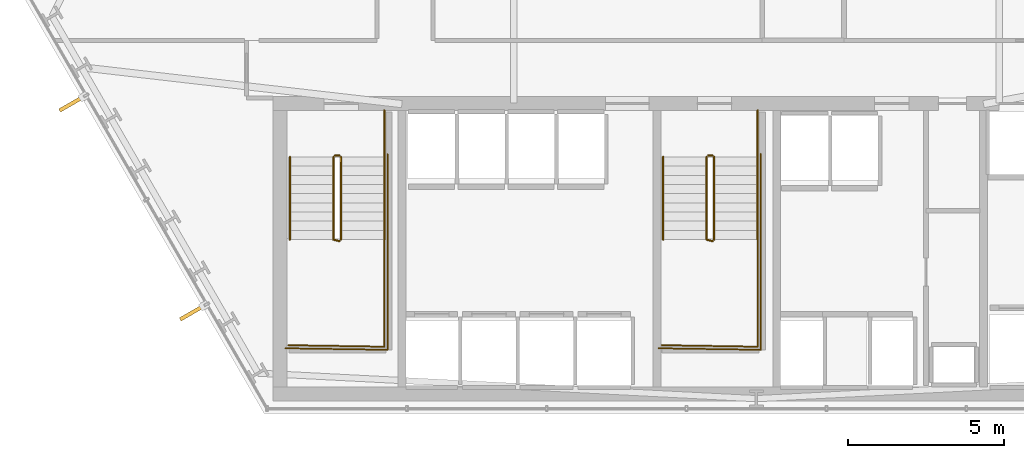
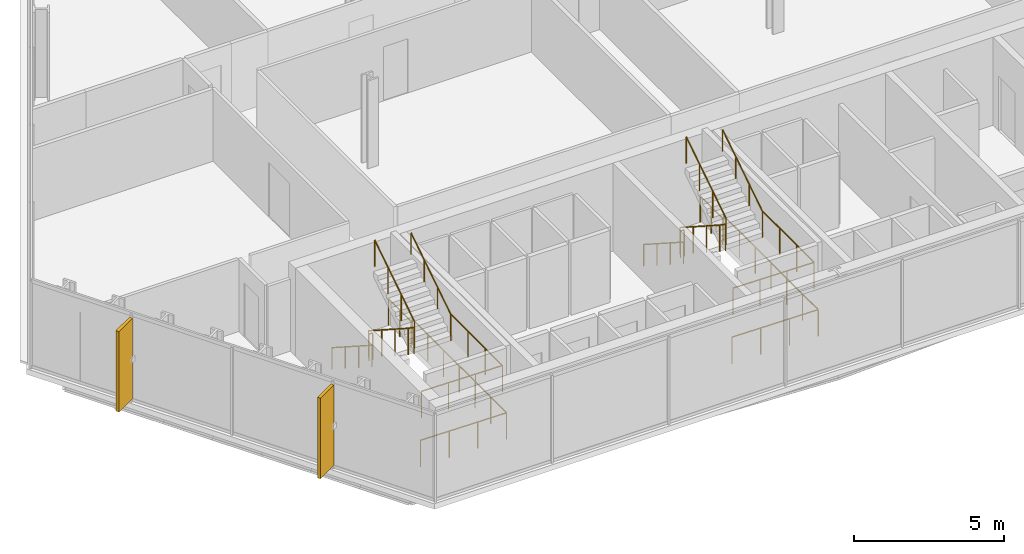
# One storey, part 29 of 32: 16 railings, 2 shading devices.
"""IFC4 building model written with IfcOpenShell, lengths in metres."""

from ifc_helpers import new_model, si_unit, direction, frame, origin, origin_2d, place, context, subcontext, project, spatial, rectangle, circle, extrude, material, layer, layer_set, type_object, element, save


model = new_model("IFC4")

# Units and contexts
model_context = context("Model", 3, precision=1e-05, world=origin(), true_north=direction((0.0, 1.0)))
body_context = subcontext(model_context, "Body", "Model", "MODEL_VIEW")
ifc_project = project(units=[si_unit("LENGTHUNIT", "METRE"), si_unit("AREAUNIT", "SQUARE_METRE"), si_unit("VOLUMEUNIT", "CUBIC_METRE"), si_unit("PLANEANGLEUNIT", "RADIAN"), si_unit("MASSUNIT", "GRAM", prefix="KILO")], contexts=[model_context])

# Site, building, storey
site_placement = place(None, origin())
site = spatial("IfcSite", under=ifc_project, at=site_placement, CompositionType="ELEMENT")
building_placement = place(site_placement, origin())
building = spatial("IfcBuilding", under=site, at=building_placement, Name="Ndaravel Arena Tower", CompositionType="ELEMENT")
storey_placement = place(building_placement, frame((0.0, 0.0, 58.800048828125)))
storey = spatial("IfcBuildingStorey", under=building, at=storey_placement, Name="L12", CompositionType="ELEMENT", Elevation=58.800048828125)

# Railings
ifc_material_1 = material(Name="Steel S355", Category="steel")
ifc_layer_1 = layer(ifc_material_1, 0.06005859375)
ifc_layer_set_1 = layer_set([ifc_layer_1], Name="Steel S355")
railing_type_1 = type_object("IfcRailingType", Name="RAIL-STAIR-GD1100", PredefinedType="GUARDRAIL", material=ifc_layer_set_1)
railing_1_placement = place(storey_placement, frame((28.39990234375, 13.25, 0.18994140625)))
element("IfcRailing", 1, at=railing_1_placement, inside=storey, type_object=railing_type_1, Name="L12 ST-1 stair guard 1", PredefinedType="GUARDRAIL", context=body_context, shape_type="SweptSolid", body=[
    extrude(circle(Radius=0.02392578125, at=origin_2d()), frame((0.0, 0.0, 1.076171875), z_axis=(0.0, -0.840723540582, 0.54146461409), x_axis=(1.0, 0.0, 0.0)), (0.0, 0.0, 1.0), 3.157958984375),
    extrude(circle(Radius=0.02392578125, at=origin_2d()), frame((0.0, -2.655029296875, 2.7861328125), z_axis=(0.967074537263, -0.25449329928, 0.0), x_axis=(0.25449329928, 0.967074537263, 0.0)), (0.0, 0.0, 1.0), 0.19677734375),
    extrude(circle(Radius=0.02099609375, at=origin_2d()), origin(), (0.0, 0.0, 1.0), 1.052001953125),
    extrude(circle(Radius=0.02099609375, at=origin_2d()), frame((0.0, -0.885009765625, 0.570068359375)), (0.0, 0.0, 1.0), 1.052001953125),
    extrude(circle(Radius=0.02099609375, at=origin_2d()), frame((0.0, -1.77001953125, 1.139892578125)), (0.0, 0.0, 1.0), 1.052001953125),
    extrude(circle(Radius=0.02099609375, at=origin_2d()), frame((0.0, -2.655029296875, 1.7099609375)), (0.0, 0.0, 1.0), 1.052001953125),
    extrude(circle(Radius=0.02099609375, at=origin_2d()), frame((0.190185546875, -2.705078125, 1.7099609375)), (0.0, 0.0, 1.0), 1.052001953125),
])
railing_2_placement = place(storey_placement, frame((30.0400390625, 10.594970703125, 1.89990234375)))
element("IfcRailing", 2, at=railing_2_placement, inside=storey, type_object=railing_type_1, Name="L12 ST-1 stair guard 2", PredefinedType="GUARDRAIL", context=body_context, shape_type="SweptSolid", body=[
    extrude(circle(Radius=0.02392578125, at=origin_2d()), frame((0.0, 0.0, 1.076171875), z_axis=(0.0, -1.0, 0.0), x_axis=(1.0, 0.0, 0.0)), (0.0, 0.0, 1.0), 3.445068359375),
    extrude(circle(Radius=0.02392578125, at=origin_2d()), frame((0.0, -3.445068359375, 1.076171875), z_axis=(-0.999868861343, 0.016194447071, 0.0), x_axis=(-0.016194447071, -0.999868861343, 0.0)), (0.0, 0.0, 1.0), 3.090576171875),
    extrude(circle(Radius=0.02099609375, at=origin_2d()), origin(), (0.0, 0.0, 1.0), 1.052001953125),
    extrude(circle(Radius=0.02099609375, at=origin_2d()), frame((0.0, -1.1484375, 0.0)), (0.0, 0.0, 1.0), 1.052001953125),
    extrude(circle(Radius=0.02099609375, at=origin_2d()), frame((0.0, -2.296630859375, 0.0)), (0.0, 0.0, 1.0), 1.052001953125),
    extrude(circle(Radius=0.02099609375, at=origin_2d()), frame((0.0, -3.445068359375, 0.0)), (0.0, 0.0, 1.0), 1.052001953125),
    extrude(circle(Radius=0.02099609375, at=origin_2d()), frame((-1.030029296875, -3.428466796875, 0.0)), (0.0, 0.0, 1.0), 1.052001953125),
    extrude(circle(Radius=0.02099609375, at=origin_2d()), frame((-2.06005859375, -3.41162109375, 0.0)), (0.0, 0.0, 1.0), 1.052001953125),
    extrude(circle(Radius=0.02099609375, at=origin_2d()), frame((-3.090087890625, -3.39501953125, 0.0)), (0.0, 0.0, 1.0), 1.052001953125),
])
railing_3_placement = place(storey_placement, frame((28.639892578125, 10.594970703125, 2.08984375)))
element("IfcRailing", 3, at=railing_3_placement, inside=storey, type_object=railing_type_1, Name="L12 ST-1 stair guard 3", PredefinedType="GUARDRAIL", context=body_context, shape_type="SweptSolid", body=[
    extrude(circle(Radius=0.02392578125, at=origin_2d()), frame((0.0, 0.0, 1.076171875), z_axis=(0.0, 0.840688348013, 0.541519253134), x_axis=(-1.0, 0.0, 0.0)), (0.0, 0.0, 1.0), 3.158203125),
    extrude(circle(Radius=0.02099609375, at=origin_2d()), origin(), (0.0, 0.0, 1.0), 1.052001953125),
    extrude(circle(Radius=0.02099609375, at=origin_2d()), frame((0.0, 0.885009765625, 0.570068359375)), (0.0, 0.0, 1.0), 1.052001953125),
    extrude(circle(Radius=0.02099609375, at=origin_2d()), frame((0.0, 1.77001953125, 1.14013671875)), (0.0, 0.0, 1.0), 1.052001953125),
    extrude(circle(Radius=0.02099609375, at=origin_2d()), frame((0.0, 2.655029296875, 1.710205078125)), (0.0, 0.0, 1.0), 1.052001953125),
])
railing_4_placement = place(storey_placement, frame((28.449951171875, 13.300048828125, 0.0)))
element("IfcRailing", 4, at=railing_4_placement, inside=storey, type_object=railing_type_1, Name="L12 ST-1 stair guard 4", PredefinedType="GUARDRAIL", context=body_context, shape_type="SweptSolid", body=[
    extrude(circle(Radius=0.02392578125, at=origin_2d()), frame((0.0, 0.0, 1.076171875), z_axis=(1.0, 0.0, 0.0), x_axis=(0.0, 1.0, 0.0)), (0.0, 0.0, 1.0), 0.14013671875),
    extrude(circle(Radius=0.02099609375, at=origin_2d()), origin(), (0.0, 0.0, 1.0), 1.052001953125),
    extrude(circle(Radius=0.02099609375, at=origin_2d()), frame((0.14013671875, 0.0, 0.0)), (0.0, 0.0, 1.0), 1.052001953125),
])
railing_5_placement = place(storey_placement, frame((30.0400390625, 14.75, 0.0)))
element("IfcRailing", 5, at=railing_5_placement, inside=storey, type_object=railing_type_1, Name="L12 ST-1 stair guard 5", PredefinedType="GUARDRAIL", context=body_context, shape_type="SweptSolid", body=[
    extrude(circle(Radius=0.02392578125, at=origin_2d()), frame((0.0, 0.0, 1.076171875), z_axis=(0.0, -1.0, 0.0), x_axis=(1.0, 0.0, 0.0)), (0.0, 0.0, 1.0), 1.5),
    extrude(circle(Radius=0.02099609375, at=origin_2d()), origin(), (0.0, 0.0, 1.0), 1.052001953125),
    extrude(circle(Radius=0.02099609375, at=origin_2d()), frame((0.0, -0.75, 0.0)), (0.0, 0.0, 1.0), 1.052001953125),
    extrude(circle(Radius=0.02099609375, at=origin_2d()), frame((0.0, -1.5, 0.0)), (0.0, 0.0, 1.0), 1.052001953125),
])
railing_6_placement = place(storey_placement, frame((30.139892578125, 13.35009765625, 0.0)))
element("IfcRailing", 6, at=railing_6_placement, inside=storey, type_object=railing_type_1, Name="L12 ST-1 stair guard 6", PredefinedType="GUARDRAIL", context=body_context, shape_type="SweptSolid", body=[
    extrude(circle(Radius=0.02392578125, at=origin_2d()), frame((0.0, 0.0, 1.076171875), z_axis=(0.0, -1.0, 0.0), x_axis=(1.0, 0.0, 0.0)), (0.0, 0.0, 1.0), 6.300048828125),
    extrude(circle(Radius=0.02392578125, at=origin_2d()), frame((0.0, -6.300048828125, 1.076171875), z_axis=(-0.999884296952, 0.015211597839, 0.0), x_axis=(-0.015211597839, -0.999884296952, 0.0)), (0.0, 0.0, 1.0), 3.290283203125),
    extrude(circle(Radius=0.02099609375, at=origin_2d()), origin(), (0.0, 0.0, 1.0), 1.052001953125),
    extrude(circle(Radius=0.02099609375, at=origin_2d()), frame((0.0, -1.050048828125, 0.0)), (0.0, 0.0, 1.0), 1.052001953125),
    extrude(circle(Radius=0.02099609375, at=origin_2d()), frame((0.0, -2.10009765625, 0.0)), (0.0, 0.0, 1.0), 1.052001953125),
    extrude(circle(Radius=0.02099609375, at=origin_2d()), frame((0.0, -3.14990234375, 0.0)), (0.0, 0.0, 1.0), 1.052001953125),
    extrude(circle(Radius=0.02099609375, at=origin_2d()), frame((0.0, -4.199951171875, 0.0)), (0.0, 0.0, 1.0), 1.052001953125),
    extrude(circle(Radius=0.02099609375, at=origin_2d()), frame((0.0, -5.25, 0.0)), (0.0, 0.0, 1.0), 1.052001953125),
    extrude(circle(Radius=0.02099609375, at=origin_2d()), frame((0.0, -6.300048828125, 0.0)), (0.0, 0.0, 1.0), 1.052001953125),
    extrude(circle(Radius=0.02099609375, at=origin_2d()), frame((-1.0966796875, -6.283447265625, 0.0)), (0.0, 0.0, 1.0), 1.052001953125),
    extrude(circle(Radius=0.02099609375, at=origin_2d()), frame((-2.193115234375, -6.2666015625, 0.0)), (0.0, 0.0, 1.0), 1.052001953125),
    extrude(circle(Radius=0.02099609375, at=origin_2d()), frame((-3.289794921875, -6.25, 0.0)), (0.0, 0.0, 1.0), 1.052001953125),
])
railing_7_placement = place(storey_placement, frame((40.39990234375, 13.25, 0.18994140625)))
element("IfcRailing", 7, at=railing_7_placement, inside=storey, type_object=railing_type_1, Name="L12 ST-2 stair guard 1", PredefinedType="GUARDRAIL", context=body_context, shape_type="SweptSolid", body=[
    extrude(circle(Radius=0.02392578125, at=origin_2d()), frame((0.0, 0.0, 1.076171875), z_axis=(0.0, -0.840723540582, 0.54146461409), x_axis=(1.0, 0.0, 0.0)), (0.0, 0.0, 1.0), 3.157958984375),
    extrude(circle(Radius=0.02392578125, at=origin_2d()), frame((0.0, -2.655029296875, 2.7861328125), z_axis=(0.967074537263, -0.25449329928, 0.0), x_axis=(0.25449329928, 0.967074537263, 0.0)), (0.0, 0.0, 1.0), 0.19677734375),
    extrude(circle(Radius=0.02099609375, at=origin_2d()), origin(), (0.0, 0.0, 1.0), 1.052001953125),
    extrude(circle(Radius=0.02099609375, at=origin_2d()), frame((0.0, -0.885009765625, 0.570068359375)), (0.0, 0.0, 1.0), 1.052001953125),
    extrude(circle(Radius=0.02099609375, at=origin_2d()), frame((0.0, -1.77001953125, 1.139892578125)), (0.0, 0.0, 1.0), 1.052001953125),
    extrude(circle(Radius=0.02099609375, at=origin_2d()), frame((0.0, -2.655029296875, 1.7099609375)), (0.0, 0.0, 1.0), 1.052001953125),
    extrude(circle(Radius=0.02099609375, at=origin_2d()), frame((0.190185546875, -2.705078125, 1.7099609375)), (0.0, 0.0, 1.0), 1.052001953125),
])
railing_8_placement = place(storey_placement, frame((42.0400390625, 10.594970703125, 1.89990234375)))
element("IfcRailing", 8, at=railing_8_placement, inside=storey, type_object=railing_type_1, Name="L12 ST-2 stair guard 2", PredefinedType="GUARDRAIL", context=body_context, shape_type="SweptSolid", body=[
    extrude(circle(Radius=0.02392578125, at=origin_2d()), frame((0.0, 0.0, 1.076171875), z_axis=(0.0, -1.0, 0.0), x_axis=(1.0, 0.0, 0.0)), (0.0, 0.0, 1.0), 3.445068359375),
    extrude(circle(Radius=0.02392578125, at=origin_2d()), frame((0.0, -3.445068359375, 1.076171875), z_axis=(-0.999868861343, 0.016194447071, 0.0), x_axis=(-0.016194447071, -0.999868861343, 0.0)), (0.0, 0.0, 1.0), 3.090576171875),
    extrude(circle(Radius=0.02099609375, at=origin_2d()), origin(), (0.0, 0.0, 1.0), 1.052001953125),
    extrude(circle(Radius=0.02099609375, at=origin_2d()), frame((0.0, -1.1484375, 0.0)), (0.0, 0.0, 1.0), 1.052001953125),
    extrude(circle(Radius=0.02099609375, at=origin_2d()), frame((0.0, -2.296630859375, 0.0)), (0.0, 0.0, 1.0), 1.052001953125),
    extrude(circle(Radius=0.02099609375, at=origin_2d()), frame((0.0, -3.445068359375, 0.0)), (0.0, 0.0, 1.0), 1.052001953125),
    extrude(circle(Radius=0.02099609375, at=origin_2d()), frame((-1.030029296875, -3.428466796875, 0.0)), (0.0, 0.0, 1.0), 1.052001953125),
    extrude(circle(Radius=0.02099609375, at=origin_2d()), frame((-2.06005859375, -3.41162109375, 0.0)), (0.0, 0.0, 1.0), 1.052001953125),
    extrude(circle(Radius=0.02099609375, at=origin_2d()), frame((-3.090087890625, -3.39501953125, 0.0)), (0.0, 0.0, 1.0), 1.052001953125),
])
railing_9_placement = place(storey_placement, frame((40.639892578125, 10.594970703125, 2.08984375)))
element("IfcRailing", 9, at=railing_9_placement, inside=storey, type_object=railing_type_1, Name="L12 ST-2 stair guard 3", PredefinedType="GUARDRAIL", context=body_context, shape_type="SweptSolid", body=[
    extrude(circle(Radius=0.02392578125, at=origin_2d()), frame((0.0, 0.0, 1.076171875), z_axis=(0.0, 0.840688348013, 0.541519253134), x_axis=(-1.0, 0.0, 0.0)), (0.0, 0.0, 1.0), 3.158203125),
    extrude(circle(Radius=0.02099609375, at=origin_2d()), origin(), (0.0, 0.0, 1.0), 1.052001953125),
    extrude(circle(Radius=0.02099609375, at=origin_2d()), frame((0.0, 0.885009765625, 0.570068359375)), (0.0, 0.0, 1.0), 1.052001953125),
    extrude(circle(Radius=0.02099609375, at=origin_2d()), frame((0.0, 1.77001953125, 1.14013671875)), (0.0, 0.0, 1.0), 1.052001953125),
    extrude(circle(Radius=0.02099609375, at=origin_2d()), frame((0.0, 2.655029296875, 1.710205078125)), (0.0, 0.0, 1.0), 1.052001953125),
])
railing_10_placement = place(storey_placement, frame((40.449951171875, 13.300048828125, 0.0)))
element("IfcRailing", 10, at=railing_10_placement, inside=storey, type_object=railing_type_1, Name="L12 ST-2 stair guard 4", PredefinedType="GUARDRAIL", context=body_context, shape_type="SweptSolid", body=[
    extrude(circle(Radius=0.02392578125, at=origin_2d()), frame((0.0, 0.0, 1.076171875), z_axis=(1.0, 0.0, 0.0), x_axis=(0.0, 1.0, 0.0)), (0.0, 0.0, 1.0), 0.14013671875),
    extrude(circle(Radius=0.02099609375, at=origin_2d()), origin(), (0.0, 0.0, 1.0), 1.052001953125),
    extrude(circle(Radius=0.02099609375, at=origin_2d()), frame((0.14013671875, 0.0, 0.0)), (0.0, 0.0, 1.0), 1.052001953125),
])
railing_11_placement = place(storey_placement, frame((42.0400390625, 14.75, 0.0)))
element("IfcRailing", 11, at=railing_11_placement, inside=storey, type_object=railing_type_1, Name="L12 ST-2 stair guard 5", PredefinedType="GUARDRAIL", context=body_context, shape_type="SweptSolid", body=[
    extrude(circle(Radius=0.02392578125, at=origin_2d()), frame((0.0, 0.0, 1.076171875), z_axis=(0.0, -1.0, 0.0), x_axis=(1.0, 0.0, 0.0)), (0.0, 0.0, 1.0), 1.5),
    extrude(circle(Radius=0.02099609375, at=origin_2d()), origin(), (0.0, 0.0, 1.0), 1.052001953125),
    extrude(circle(Radius=0.02099609375, at=origin_2d()), frame((0.0, -0.75, 0.0)), (0.0, 0.0, 1.0), 1.052001953125),
    extrude(circle(Radius=0.02099609375, at=origin_2d()), frame((0.0, -1.5, 0.0)), (0.0, 0.0, 1.0), 1.052001953125),
])
railing_12_placement = place(storey_placement, frame((42.139892578125, 13.35009765625, 0.0)))
element("IfcRailing", 12, at=railing_12_placement, inside=storey, type_object=railing_type_1, Name="L12 ST-2 stair guard 6", PredefinedType="GUARDRAIL", context=body_context, shape_type="SweptSolid", body=[
    extrude(circle(Radius=0.02392578125, at=origin_2d()), frame((0.0, 0.0, 1.076171875), z_axis=(0.0, -1.0, 0.0), x_axis=(1.0, 0.0, 0.0)), (0.0, 0.0, 1.0), 6.300048828125),
    extrude(circle(Radius=0.02392578125, at=origin_2d()), frame((0.0, -6.300048828125, 1.076171875), z_axis=(-0.999884296952, 0.015211597839, 0.0), x_axis=(-0.015211597839, -0.999884296952, 0.0)), (0.0, 0.0, 1.0), 3.290283203125),
    extrude(circle(Radius=0.02099609375, at=origin_2d()), origin(), (0.0, 0.0, 1.0), 1.052001953125),
    extrude(circle(Radius=0.02099609375, at=origin_2d()), frame((0.0, -1.050048828125, 0.0)), (0.0, 0.0, 1.0), 1.052001953125),
    extrude(circle(Radius=0.02099609375, at=origin_2d()), frame((0.0, -2.10009765625, 0.0)), (0.0, 0.0, 1.0), 1.052001953125),
    extrude(circle(Radius=0.02099609375, at=origin_2d()), frame((0.0, -3.14990234375, 0.0)), (0.0, 0.0, 1.0), 1.052001953125),
    extrude(circle(Radius=0.02099609375, at=origin_2d()), frame((0.0, -4.199951171875, 0.0)), (0.0, 0.0, 1.0), 1.052001953125),
    extrude(circle(Radius=0.02099609375, at=origin_2d()), frame((0.0, -5.25, 0.0)), (0.0, 0.0, 1.0), 1.052001953125),
    extrude(circle(Radius=0.02099609375, at=origin_2d()), frame((0.0, -6.300048828125, 0.0)), (0.0, 0.0, 1.0), 1.052001953125),
    extrude(circle(Radius=0.02099609375, at=origin_2d()), frame((-1.0966796875, -6.283447265625, 0.0)), (0.0, 0.0, 1.0), 1.052001953125),
    extrude(circle(Radius=0.02099609375, at=origin_2d()), frame((-2.193115234375, -6.2666015625, 0.0)), (0.0, 0.0, 1.0), 1.052001953125),
    extrude(circle(Radius=0.02099609375, at=origin_2d()), frame((-3.289794921875, -6.25, 0.0)), (0.0, 0.0, 1.0), 1.052001953125),
])
ifc_material_2 = material(Name="Steel S355", Category="steel")
ifc_layer_2 = layer(ifc_material_2, 0.050048828125)
ifc_layer_set_2 = layer_set([ifc_layer_2], Name="Steel S355")
railing_type_2 = type_object("IfcRailingType", Name="RAIL-STAIR-HR920", PredefinedType="HANDRAIL", material=ifc_layer_set_2)
railing_13_placement = place(storey_placement, frame((27.0, 13.25, 0.18994140625)))
element("IfcRailing", 13, at=railing_13_placement, inside=storey, type_object=railing_type_2, Name="L12 ST-1 stair handrail 1", PredefinedType="HANDRAIL", context=body_context, shape_type="SweptSolid", body=[
    extrude(circle(Radius=0.02392578125, at=origin_2d()), frame((0.0, 0.0, 0.8759765625), z_axis=(0.0, -0.840723540582, 0.54146461409), x_axis=(1.0, 0.0, 0.0)), (0.0, 0.0, 1.0), 3.157958984375),
    extrude(circle(Radius=0.02099609375, at=origin_2d()), origin(), (0.0, 0.0, 1.0), 0.851806640625),
    extrude(circle(Radius=0.02099609375, at=origin_2d()), frame((0.0, -0.885009765625, 0.570068359375)), (0.0, 0.0, 1.0), 0.851806640625),
    extrude(circle(Radius=0.02099609375, at=origin_2d()), frame((0.0, -1.77001953125, 1.139892578125)), (0.0, 0.0, 1.0), 0.851806640625),
    extrude(circle(Radius=0.02099609375, at=origin_2d()), frame((0.0, -2.655029296875, 1.7099609375)), (0.0, 0.0, 1.0), 0.851806640625),
])
railing_14_placement = place(storey_placement, frame((30.0400390625, 10.594970703125, 2.08984375)))
element("IfcRailing", 14, at=railing_14_placement, inside=storey, type_object=railing_type_2, Name="L12 ST-1 stair handrail 2", PredefinedType="HANDRAIL", context=body_context, shape_type="SweptSolid", body=[
    extrude(circle(Radius=0.02392578125, at=origin_2d()), frame((0.0, 0.0, 0.8759765625), z_axis=(0.0, 0.840688348013, 0.541519253134), x_axis=(-1.0, 0.0, 0.0)), (0.0, 0.0, 1.0), 3.158203125),
    extrude(circle(Radius=0.02099609375, at=origin_2d()), origin(), (0.0, 0.0, 1.0), 0.851806640625),
    extrude(circle(Radius=0.02099609375, at=origin_2d()), frame((0.0, 0.885009765625, 0.570068359375)), (0.0, 0.0, 1.0), 0.851806640625),
    extrude(circle(Radius=0.02099609375, at=origin_2d()), frame((0.0, 1.77001953125, 1.14013671875)), (0.0, 0.0, 1.0), 0.851806640625),
    extrude(circle(Radius=0.02099609375, at=origin_2d()), frame((0.0, 2.655029296875, 1.710205078125)), (0.0, 0.0, 1.0), 0.851806640625),
])
railing_15_placement = place(storey_placement, frame((39.0, 13.25, 0.18994140625)))
element("IfcRailing", 15, at=railing_15_placement, inside=storey, type_object=railing_type_2, Name="L12 ST-2 stair handrail 1", PredefinedType="HANDRAIL", context=body_context, shape_type="SweptSolid", body=[
    extrude(circle(Radius=0.02392578125, at=origin_2d()), frame((0.0, 0.0, 0.8759765625), z_axis=(0.0, -0.840723540582, 0.54146461409), x_axis=(1.0, 0.0, 0.0)), (0.0, 0.0, 1.0), 3.157958984375),
    extrude(circle(Radius=0.02099609375, at=origin_2d()), origin(), (0.0, 0.0, 1.0), 0.851806640625),
    extrude(circle(Radius=0.02099609375, at=origin_2d()), frame((0.0, -0.885009765625, 0.570068359375)), (0.0, 0.0, 1.0), 0.851806640625),
    extrude(circle(Radius=0.02099609375, at=origin_2d()), frame((0.0, -1.77001953125, 1.139892578125)), (0.0, 0.0, 1.0), 0.851806640625),
    extrude(circle(Radius=0.02099609375, at=origin_2d()), frame((0.0, -2.655029296875, 1.7099609375)), (0.0, 0.0, 1.0), 0.851806640625),
])
railing_16_placement = place(storey_placement, frame((42.0400390625, 10.594970703125, 2.08984375)))
element("IfcRailing", 16, at=railing_16_placement, inside=storey, type_object=railing_type_2, Name="L12 ST-2 stair handrail 2", PredefinedType="HANDRAIL", context=body_context, shape_type="SweptSolid", body=[
    extrude(circle(Radius=0.02392578125, at=origin_2d()), frame((0.0, 0.0, 0.8759765625), z_axis=(0.0, 0.840688348013, 0.541519253134), x_axis=(-1.0, 0.0, 0.0)), (0.0, 0.0, 1.0), 3.158203125),
    extrude(circle(Radius=0.02099609375, at=origin_2d()), origin(), (0.0, 0.0, 1.0), 0.851806640625),
    extrude(circle(Radius=0.02099609375, at=origin_2d()), frame((0.0, 0.885009765625, 0.570068359375)), (0.0, 0.0, 1.0), 0.851806640625),
    extrude(circle(Radius=0.02099609375, at=origin_2d()), frame((0.0, 1.77001953125, 1.14013671875)), (0.0, 0.0, 1.0), 0.851806640625),
    extrude(circle(Radius=0.02099609375, at=origin_2d()), frame((0.0, 2.655029296875, 1.710205078125)), (0.0, 0.0, 1.0), 0.851806640625),
])

# Shading devices
ifc_material_3 = material(Name="Masonry", Category="masonry")
shading_device_type = type_object("IfcShadingDeviceType", Name="SHD-MAZERAS-FIN", PredefinedType="SHUTTER", material=ifc_material_3)
for number, where, z_axis, x_axis, name in (
    (17, (19.985595703125, 14.968505859375, 0.14990234375), (0.0, 0.0, 1.0), (-0.866025403784, -0.5, 0.0), "L12 Mazeras Stone Solar Fin E6.1"),
    (18, (23.863525390625, 8.25146484375, 0.14990234375), (0.0, 0.0, 1.0), (-0.866025403784, -0.5, 0.0), "L12 Mazeras Stone Solar Fin E6.2"),
):
    element("IfcShadingDevice", number, at=place(storey_placement, frame(where, z_axis=z_axis, x_axis=x_axis)), inside=storey, type_object=shading_device_type, Name=name, PredefinedType="SHUTTER", context=body_context, shape_type="SweptSolid", body=[
        extrude(rectangle(XDim=0.89990234375, YDim=0.1201171875, at=origin_2d()), origin(), (0.0, 0.0, 1.0), 3.280029296875),
    ])

save(model, "model.ifc")
